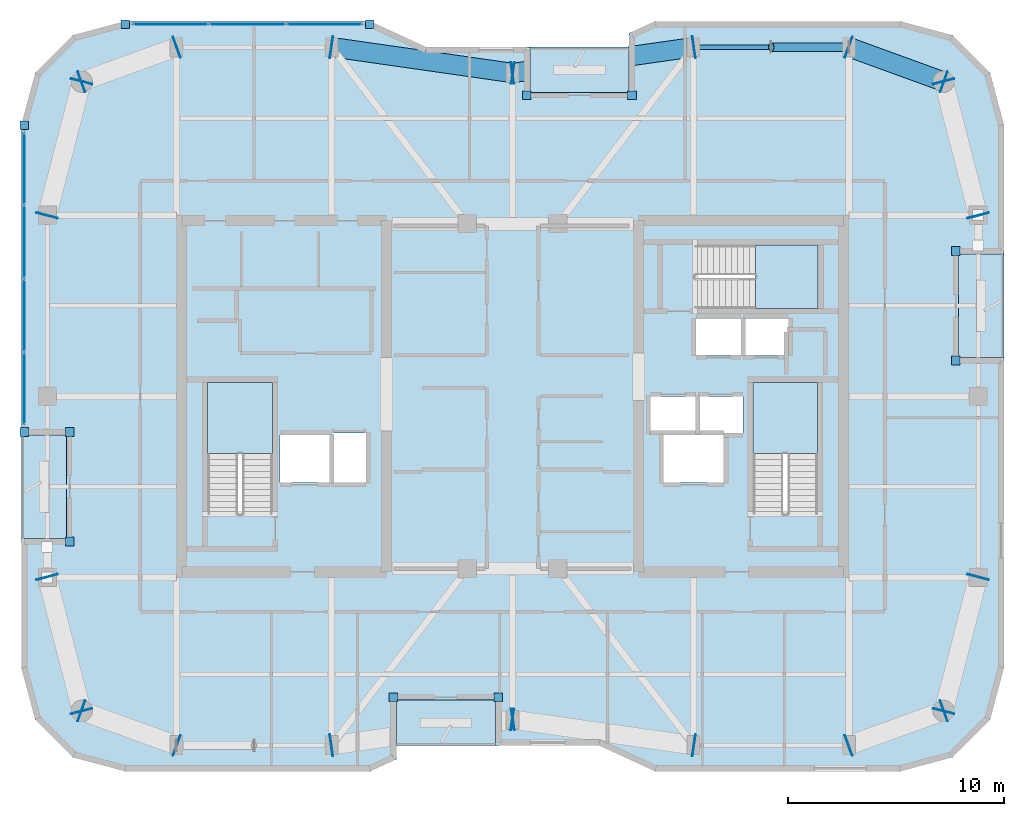
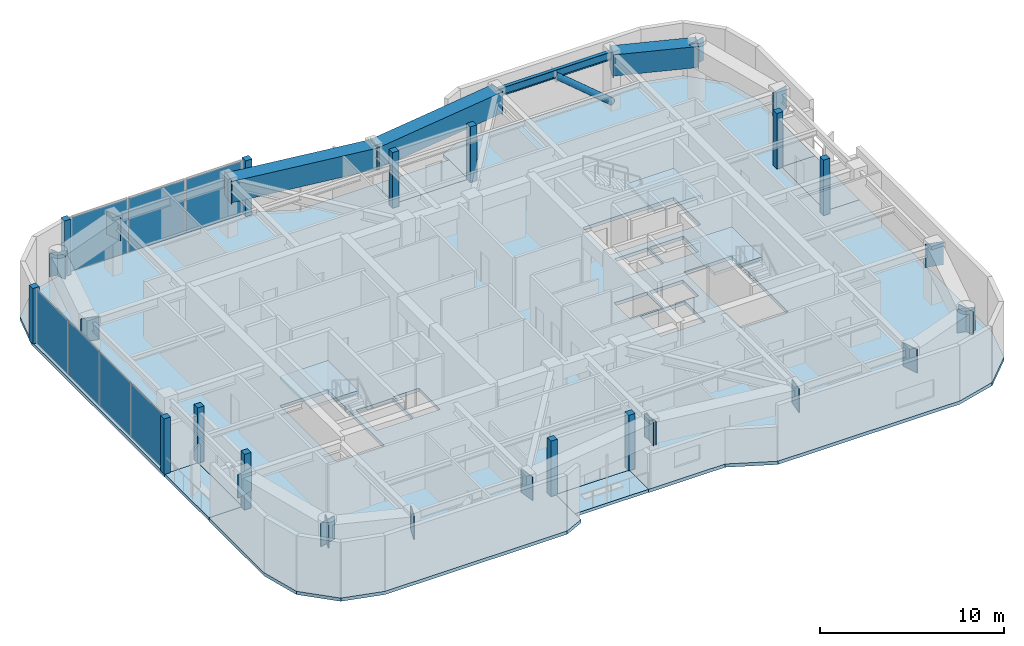
# One storey, part 7 of 15: 43 plates, 8 slabs, 4 beams, 1 member, 5 elements without a shape of their own.
"""IFC4 building model written with IfcOpenShell, lengths in metres."""

from ifc_helpers import new_model, si_unit, direction, frame, origin, origin_2d, place, context, subcontext, project, spatial, polyline, rectangle, hollow_rectangle, hollow_circle, i_section, outline, extrude, material, layer, layer_set, material_profile, profile_set, type_object, element, aggregate, save


model = new_model("IFC4")

# Units and contexts
model_context = context("Model", 3, precision=1e-05, world=origin(), true_north=direction((0.0, 1.0)))
body_context = subcontext(model_context, "Body", "Model", "MODEL_VIEW")
ifc_project = project(units=[si_unit("LENGTHUNIT", "METRE"), si_unit("AREAUNIT", "SQUARE_METRE"), si_unit("VOLUMEUNIT", "CUBIC_METRE"), si_unit("PLANEANGLEUNIT", "RADIAN"), si_unit("MASSUNIT", "GRAM", prefix="KILO")], contexts=[model_context])

# Site, building, storey
site_placement = place(None, origin())
site = spatial("IfcSite", under=ifc_project, at=site_placement, CompositionType="ELEMENT")
building_placement = place(site_placement, origin())
building = spatial("IfcBuilding", under=site, at=building_placement, Name="Kiyonajd Concourse Tower", CompositionType="ELEMENT")
storey_placement = place(building_placement, frame((0.0, 0.0, 314.10009765625)))
storey = spatial("IfcBuildingStorey", under=building, at=storey_placement, Name="L79", CompositionType="ELEMENT", Elevation=314.10009765625)

# Beams
ifc_material_1 = material(Name="Steel ASTM A992 Grade 50", Category="steel")
ifc_material_profile_1 = material_profile(ifc_material_1, i_section(OverallWidth=0.2109375, OverallDepth=0.5390625, WebThickness=0.01171875, FlangeThickness=0.018798828125, at=origin_2d()), Name="W530X109")
ifc_profile_set_1 = profile_set([ifc_material_profile_1], Name="Steel ASTM A992 Grade 50")
beam_type_1 = type_object("IfcBeamType", Name="BM-SPAN-530B", PredefinedType="SPANDREL", material=ifc_profile_set_1)
beam_1_placement = place(storey_placement, frame((63.60009765625, 52.199951171875, 3.410400390625), z_axis=(-1.0, 0.0, 0.0), x_axis=(0.0, -1.0, 0.0)))
element("IfcBeam", 1, at=beam_1_placement, inside=storey, type_object=beam_type_1, Name="L79 Perimeter Bundled Tube Spandrel", PredefinedType="SPANDREL", context=body_context, shape_type="SweptSolid", body=[
    extrude(i_section(OverallWidth=0.2109375, OverallDepth=0.5390625, WebThickness=0.01171875, FlangeThickness=0.018798828125, at=origin_2d()), origin(), (0.0, 0.0, 1.0), 7.2001953125),
])
ifc_material_2 = material(Name="Steel ASTM A572 Grade 50", Category="steel")
ifc_material_profile_2 = material_profile(ifc_material_2, hollow_rectangle(XDim=0.89990234375, YDim=1.39990234375, WallThickness=0.070068359375, at=origin_2d()), Name="BOX-1400x900x70")
ifc_profile_set_2 = profile_set([ifc_material_profile_2], Name="Steel ASTM A572 Grade 50")
beam_type_2 = type_object("IfcBeamType", Name="BM-XFER-1400", PredefinedType="BEAM", material=ifc_profile_set_2)
beam_2_placement = place(storey_placement, frame((68.0, 50.60009765625, 2.97998046875), z_axis=(-0.939801036019, 0.341722127901, 0.0), x_axis=(-0.341722127901, -0.939801036019, 0.0)))
element("IfcBeam", 2, at=beam_2_placement, inside=storey, type_object=beam_type_2, Name="L79 Perimeter Bundled Tube Spandrel", PredefinedType="BEAM", context=body_context, shape_type="SweptSolid", body=[
    extrude(hollow_rectangle(XDim=0.89990234375, YDim=1.39990234375, WallThickness=0.070068359375, at=origin_2d()), origin(), (0.0, 0.0, 1.0), 4.681640625),
])
for number, where, z_axis, x_axis, name in (
    (3, (56.39990234375, 52.199951171875, 2.97998046875), (-0.989950069105, -0.141417328072, 0.0), (0.141417328072, -0.989950069105, 0.0), "L79 Perimeter Bundled Tube Spandrel"),
    (4, (48.0, 51.0, 2.97998046875), (-0.989950069105, 0.141417328072, 0.0), (-0.141417328072, -0.989950069105, 0.0), "L79 Perimeter Bundled Tube Spandrel"),
):
    element("IfcBeam", number, at=place(storey_placement, frame(where, z_axis=z_axis, x_axis=x_axis)), inside=storey, type_object=beam_type_2, Name=name, PredefinedType="BEAM", context=body_context, shape_type="SweptSolid", body=[
        extrude(hollow_rectangle(XDim=0.89990234375, YDim=1.39990234375, WallThickness=0.070068359375, at=origin_2d()), origin(), (0.0, 0.0, 1.0), 8.485107421875),
    ])

# Member
ifc_material_3 = material(Name="Steel ASTM A500 Grade C", Category="steel")
ifc_material_profile_3 = material_profile(ifc_material_3, hollow_circle(Radius=0.202880859375, WallThickness=0.01904296875, at=origin_2d()), Name="CHS-406x19")
ifc_profile_set_3 = profile_set([ifc_material_profile_3], Name="Steel ASTM A500 Grade C")
member_type = type_object("IfcMemberType", Name="MB-PB-HIGH", PredefinedType="BRACE", material=ifc_profile_set_3)
member_placement = place(storey_placement, frame((63.60009765625, 52.199951171875, 0.2998046875), z_axis=(-0.765082043761, 0.0, 0.643932811957), x_axis=(0.0, -1.0, 0.0)))
element("IfcMember", 5, at=member_placement, inside=storey, type_object=member_type, Name="L79 Upper Zone Hollow Tube Brace PBN", PredefinedType="BRACE", context=body_context, shape_type="SweptSolid", body=[
    extrude(hollow_circle(Radius=0.202880859375, WallThickness=0.01904296875, at=origin_2d()), origin(), (0.0, 0.0, 1.0), 4.70556640625),
])

# Plates
ifc_layer_1 = layer(ifc_material_2, 0.031982421875)
ifc_layer_set_1 = layer_set([ifc_layer_1], Name="Steel ASTM A572 Grade 50")
plate_type_1 = type_object("IfcPlateType", Name="PL-CAP-540", PredefinedType="USERDEFINED", material=ifc_layer_set_1)
for number, where, z_axis, x_axis, name in (
    (6, (26.397216796875, 27.610595703125, 2.2099609375), (0.0, 0.0, 1.0), (-0.249873048837, 0.968278606324, 0.0), "L79 Welded Box Girder End Cap"),
    (7, (28.002685546875, 21.389404296875, 2.2099609375), (0.0, 0.0, 1.0), (0.249873048837, -0.968278606324, 0.0), "L79 Welded Box Girder End Cap"),
    (8, (27.98974609375, 21.40380859375, 2.2099609375), (0.0, 0.0, 1.0), (-0.939811951086, 0.341692107891, 0.0), "L79 Welded Box Girder End Cap"),
    (9, (32.410400390625, 19.796142578125, 2.2099609375), (0.0, 0.0, 1.0), (0.939811951086, -0.341692107891, 0.0), "L79 Welded Box Girder End Cap"),
    (10, (39.589111328125, 19.79833984375, 2.2099609375), (0.0, 0.0, 1.0), (-0.989949746297, -0.141419587774, 0.0), "L79 Welded Box Girder End Cap"),
    (11, (48.010986328125, 21.001708984375, 2.2099609375), (0.0, 0.0, 1.0), (0.989949746297, 0.141419587774, 0.0), "L79 Welded Box Girder End Cap"),
    (12, (47.989013671875, 21.001708984375, 2.2099609375), (0.0, 0.0, 1.0), (-0.989949746297, 0.141419587774, 0.0), "L79 Welded Box Girder End Cap"),
    (13, (56.410888671875, 19.79833984375, 2.2099609375), (0.0, 0.0, 1.0), (0.989949746297, -0.141419587774, 0.0), "L79 Welded Box Girder End Cap"),
    (14, (63.589599609375, 19.796142578125, 2.2099609375), (0.0, 0.0, 1.0), (-0.939811951086, -0.341692107891, 0.0), "L79 Welded Box Girder End Cap"),
    (15, (68.01025390625, 21.40380859375, 2.2099609375), (0.0, 0.0, 1.0), (0.939811951086, 0.341692107891, 0.0), "L79 Welded Box Girder End Cap"),
    (16, (67.997314453125, 21.389404296875, 2.2099609375), (0.0, 0.0, 1.0), (-0.249873048837, -0.968278606324, 0.0), "L79 Welded Box Girder End Cap"),
    (17, (69.602783203125, 27.610595703125, 2.2099609375), (0.0, 0.0, 1.0), (0.249873048837, 0.968278606324, 0.0), "L79 Welded Box Girder End Cap"),
    (18, (69.602783203125, 44.389404296875, 2.2099609375), (0.0, 0.0, 1.0), (0.249873048837, -0.968278606324, 0.0), "L79 Welded Box Girder End Cap"),
    (19, (67.997314453125, 50.610595703125, 2.2099609375), (0.0, 0.0, 1.0), (-0.249873048837, 0.968278606324, 0.0), "L79 Welded Box Girder End Cap"),
    (20, (68.01025390625, 50.59619140625, 2.2099609375), (0.0, 0.0, 1.0), (0.939811951086, -0.341692107891, 0.0), "L79 Welded Box Girder End Cap"),
    (21, (63.589599609375, 52.203857421875, 2.2099609375), (0.0, 0.0, 1.0), (-0.939811951086, 0.341692107891, 0.0), "L79 Welded Box Girder End Cap"),
    (22, (56.410888671875, 52.20166015625, 2.2099609375), (0.0, 0.0, 1.0), (0.989949746297, 0.141419587774, 0.0), "L79 Welded Box Girder End Cap"),
    (23, (47.989013671875, 50.998291015625, 2.2099609375), (0.0, 0.0, 1.0), (-0.989949746297, -0.141419587774, 0.0), "L79 Welded Box Girder End Cap"),
    (24, (48.010986328125, 50.998291015625, 2.2099609375), (0.0, 0.0, 1.0), (0.989949746297, -0.141419587774, 0.0), "L79 Welded Box Girder End Cap"),
    (25, (39.589111328125, 52.20166015625, 2.2099609375), (0.0, 0.0, 1.0), (-0.989949746297, 0.141419587774, 0.0), "L79 Welded Box Girder End Cap"),
    (26, (32.410400390625, 52.203857421875, 2.2099609375), (0.0, 0.0, 1.0), (0.939811951086, 0.341692107891, 0.0), "L79 Welded Box Girder End Cap"),
    (27, (27.98974609375, 50.59619140625, 2.2099609375), (0.0, 0.0, 1.0), (-0.939811951086, -0.341692107891, 0.0), "L79 Welded Box Girder End Cap"),
    (28, (28.002685546875, 50.610595703125, 2.2099609375), (0.0, 0.0, 1.0), (0.249873048837, 0.968278606324, 0.0), "L79 Welded Box Girder End Cap"),
    (29, (26.397216796875, 44.389404296875, 2.2099609375), (0.0, 0.0, 1.0), (-0.249873048837, -0.968278606324, 0.0), "L79 Welded Box Girder End Cap"),
):
    element("IfcPlate", number, at=place(storey_placement, frame(where, z_axis=z_axis, x_axis=x_axis)), inside=storey, type_object=plate_type_1, Name=name, ObjectType="CAP PLATE", PredefinedType="USERDEFINED", context=body_context, shape_type="SweptSolid", body=[
        extrude(rectangle(XDim=0.035888671875, YDim=1.02001953125, at=origin_2d()), origin(), (0.0, 0.0, 1.0), 1.5400390625),
    ])

# Curtain wall, plates
ifc_material_4 = material(Name="Thermally Broken Anodised Aluminium", Category="aluminium")
ifc_layer_2 = layer(ifc_material_4, 0.179931640625)
ifc_layer_set_2 = layer_set([ifc_layer_2], Name="Thermally Broken Anodised Aluminium")
curtain_wall_type = type_object("IfcCurtainWallType", Name="CW-SYS-04", PredefinedType="NOTDEFINED", material=ifc_layer_set_2)
curtain_wall_1_placement = place(storey_placement, origin())
curtain_wall_1 = element("IfcCurtainWall", 30, at=curtain_wall_1_placement, inside=storey, type_object=curtain_wall_type, Name="L79 Unitised Curtain Wall CW4", PredefinedType="NOTDEFINED")
ifc_material_5 = material(Name="Double Low-E Insulated Glass", Category="glass")
ifc_layer_3 = layer(ifc_material_5, 0.033935546875)
ifc_layer_set_3 = layer_set([ifc_layer_3], Name="Double Low-E Insulated Glass")
plate_type_2 = type_object("IfcPlateType", Name="PL-CW-VIS34", PredefinedType="CURTAIN_PANEL", material=ifc_layer_set_3)
plate_1_placement = place(storey_placement, frame((25.340087890625, 36.35400390625, 0.06494140625), z_axis=(0.0, 0.0, 1.0), x_axis=(0.0, 1.0, 0.0)))
plate_1 = element("IfcPlate", 31, at=plate_1_placement, type_object=plate_type_2, Name="CW4 panel 1.1", PredefinedType="CURTAIN_PANEL", context=body_context, shape_type="SweptSolid", body=[
    extrude(rectangle(XDim=3.31787109375, YDim=0.033935546875, at=origin_2d()), origin(), (0.0, 0.0, 1.0), 3.550048828125),
])
plate_2_placement = place(storey_placement, frame((25.340087890625, 39.753173828125, 0.06494140625), z_axis=(0.0, 0.0, 1.0), x_axis=(0.0, 1.0, 0.0)))
plate_2 = element("IfcPlate", 32, at=plate_2_placement, type_object=plate_type_2, Name="CW4 panel 2.1", PredefinedType="CURTAIN_PANEL", context=body_context, shape_type="SweptSolid", body=[
    extrude(rectangle(XDim=3.350341796875, YDim=0.033935546875, at=origin_2d()), origin(), (0.0, 0.0, 1.0), 3.550048828125),
])
plate_3_placement = place(storey_placement, frame((25.340087890625, 43.16845703125, 0.06494140625), z_axis=(0.0, 0.0, 1.0), x_axis=(0.0, 1.0, 0.0)))
plate_3 = element("IfcPlate", 33, at=plate_3_placement, type_object=plate_type_2, Name="CW4 panel 3.1", PredefinedType="CURTAIN_PANEL", context=body_context, shape_type="SweptSolid", body=[
    extrude(rectangle(XDim=3.350341796875, YDim=0.033935546875, at=origin_2d()), origin(), (0.0, 0.0, 1.0), 3.550048828125),
])
plate_4_placement = place(storey_placement, frame((25.340087890625, 46.567626953125, 0.06494140625), z_axis=(0.0, 0.0, 1.0), x_axis=(0.0, 1.0, 0.0)))
plate_4 = element("IfcPlate", 34, at=plate_4_placement, type_object=plate_type_2, Name="CW4 panel 4.1", PredefinedType="CURTAIN_PANEL", context=body_context, shape_type="SweptSolid", body=[
    extrude(rectangle(XDim=3.31787109375, YDim=0.033935546875, at=origin_2d()), origin(), (0.0, 0.0, 1.0), 3.550048828125),
])
aggregate(curtain_wall_1, [plate_1, plate_2, plate_3, plate_4])

curtain_wall_2_placement = place(storey_placement, origin())
curtain_wall_2 = element("IfcCurtainWall", 35, at=curtain_wall_2_placement, inside=storey, type_object=curtain_wall_type, Name="L79 Unitised Curtain Wall CW4", PredefinedType="NOTDEFINED")
plate_5_placement = place(storey_placement, frame((32.119873046875, 53.260009765625, 0.06494140625), z_axis=(0.0, 0.0, 1.0), x_axis=(1.0, 0.0, 0.0)))
plate_5 = element("IfcPlate", 36, at=plate_5_placement, type_object=plate_type_2, Name="CW4 panel 1.1", PredefinedType="CURTAIN_PANEL", context=body_context, shape_type="SweptSolid", body=[
    extrude(rectangle(XDim=3.492919921875, YDim=0.033935546875, at=origin_2d()), origin(), (0.0, 0.0, 1.0), 3.550048828125),
])
plate_6_placement = place(storey_placement, frame((35.69384765625, 53.260009765625, 0.06494140625), z_axis=(0.0, 0.0, 1.0), x_axis=(1.0, 0.0, 0.0)))
plate_6 = element("IfcPlate", 37, at=plate_6_placement, type_object=plate_type_2, Name="CW4 panel 2.1", PredefinedType="CURTAIN_PANEL", context=body_context, shape_type="SweptSolid", body=[
    extrude(rectangle(XDim=3.525390625, YDim=0.033935546875, at=origin_2d()), origin(), (0.0, 0.0, 1.0), 3.550048828125),
])
plate_7_placement = place(storey_placement, frame((39.267822265625, 53.260009765625, 0.06494140625), z_axis=(0.0, 0.0, 1.0), x_axis=(1.0, 0.0, 0.0)))
plate_7 = element("IfcPlate", 38, at=plate_7_placement, type_object=plate_type_2, Name="CW4 panel 3.1", PredefinedType="CURTAIN_PANEL", context=body_context, shape_type="SweptSolid", body=[
    extrude(rectangle(XDim=3.492919921875, YDim=0.033935546875, at=origin_2d()), origin(), (0.0, 0.0, 1.0), 3.550048828125),
])
aggregate(curtain_wall_2, [plate_5, plate_6, plate_7])

# Plates
ifc_layer_4 = layer(ifc_material_4, 0.39990234375)
ifc_layer_set_4 = layer_set([ifc_layer_4], Name="Thermally Broken Anodised Aluminium")
plate_type_3 = type_object("IfcPlateType", Name="PL-JMB-400", PredefinedType="USERDEFINED", material=ifc_layer_set_4)
for number, where, z_axis, x_axis, name in (
    (39, (27.43994140625, 29.260009765625, 0.0), (0.0, 0.0, 1.0), (1.0, 0.0, 0.0), "L79 Facade Jamb Closure Plate 01"),
    (40, (27.43994140625, 34.340087890625, 0.0), (0.0, 0.0, 1.0), (1.0, 0.0, 0.0), "L79 Facade Jamb Closure Plate 02"),
    (41, (25.340087890625, 34.340087890625, 0.0), (0.0, 0.0, 1.0), (1.0, 0.0, 0.0), "L79 Facade Jamb Closure Plate 03"),
    (42, (25.340087890625, 48.58154296875, 0.0), (0.0, 0.0, 1.0), (1.0, 0.0, 0.0), "L79 Facade Jamb Closure Plate 04"),
    (43, (30.018310546875, 53.260009765625, 0.0), (0.0, 0.0, 1.0), (1.0, 0.0, 0.0), "L79 Facade Jamb Closure Plate 05"),
    (44, (41.369384765625, 53.260009765625, 0.0), (0.0, 0.0, 1.0), (1.0, 0.0, 0.0), "L79 Facade Jamb Closure Plate 06"),
    (45, (48.659912109375, 49.9599609375, 0.0), (0.0, 0.0, 1.0), (1.0, 0.0, 0.0), "L79 Facade Jamb Closure Plate 07"),
    (46, (53.5400390625, 49.9599609375, 0.0), (0.0, 0.0, 1.0), (1.0, 0.0, 0.0), "L79 Facade Jamb Closure Plate 08"),
    (47, (68.56005859375, 42.739990234375, 0.0), (0.0, 0.0, 1.0), (1.0, 0.0, 0.0), "L79 Facade Jamb Closure Plate 09"),
    (48, (68.56005859375, 37.659912109375, 0.0), (0.0, 0.0, 1.0), (1.0, 0.0, 0.0), "L79 Facade Jamb Closure Plate 10"),
    (49, (47.340087890625, 22.0400390625, 0.0), (0.0, 0.0, 1.0), (1.0, 0.0, 0.0), "L79 Facade Jamb Closure Plate 11"),
    (50, (42.4599609375, 22.0400390625, 0.0), (0.0, 0.0, 1.0), (1.0, 0.0, 0.0), "L79 Facade Jamb Closure Plate 12"),
):
    element("IfcPlate", number, at=place(storey_placement, frame(where, z_axis=z_axis, x_axis=x_axis)), inside=storey, type_object=plate_type_3, Name=name, ObjectType="JAMB PLATE", PredefinedType="USERDEFINED", context=body_context, shape_type="SweptSolid", body=[
        extrude(rectangle(XDim=0.39990234375, YDim=0.39990234375, at=origin_2d()), origin(), (0.0, 0.0, 1.0), 3.679931640625),
    ])

# Stair, slab
ifc_material_6 = material(Name="Concrete C40/50", Category="concrete")
stair_type = type_object("IfcStairType", Name="ST-DLG-22R", PredefinedType="HALF_TURN_STAIR", material=ifc_material_6)
stair_1_placement = place(storey_placement, origin())
stair_1 = element("IfcStair", 51, at=stair_1_placement, inside=storey, type_object=stair_type, Name="L79 Protected Exit Stair ST1", PredefinedType="HALF_TURN_STAIR")
ifc_layer_5 = layer(ifc_material_6, 0.199951171875)
ifc_layer_set_5 = layer_set([ifc_layer_5], Name="Concrete C40/50")
slab_type_1 = type_object("IfcSlabType", Name="SL-LND-200", PredefinedType="LANDING", material=ifc_layer_set_5)
slab_1_placement = place(storey_placement, frame((0.0, 0.0, 1.75)))
slab_1 = element("IfcSlab", 52, at=slab_1_placement, type_object=slab_type_1, Name="ST1 landing 1", PredefinedType="LANDING", context=body_context, shape_type="SweptSolid", body=[
    extrude(outline(polyline([(36.85009765625, 33.35009765625), (36.85009765625, 36.64990234375), (33.85009765625, 36.64990234375), (33.85009765625, 33.35009765625), (36.85009765625, 33.35009765625)])), origin(), (0.0, 0.0, 1.0), 0.199951171875),
])
aggregate(stair_1, [slab_1])

stair_2_placement = place(storey_placement, origin())
stair_2 = element("IfcStair", 53, at=stair_2_placement, inside=storey, type_object=stair_type, Name="L79 Protected Exit Stair ST2", PredefinedType="HALF_TURN_STAIR")
slab_2_placement = place(storey_placement, frame((0.0, 0.0, 1.75)))
slab_2 = element("IfcSlab", 54, at=slab_2_placement, type_object=slab_type_1, Name="ST2 landing 1", PredefinedType="LANDING", context=body_context, shape_type="SweptSolid", body=[
    extrude(outline(polyline([(62.14990234375, 33.35009765625), (62.14990234375, 36.64990234375), (59.14990234375, 36.64990234375), (59.14990234375, 33.35009765625), (62.14990234375, 33.35009765625)])), origin(), (0.0, 0.0, 1.0), 0.199951171875),
])
aggregate(stair_2, [slab_2])

stair_3_placement = place(storey_placement, origin())
stair_3 = element("IfcStair", 55, at=stair_3_placement, inside=storey, type_object=stair_type, Name="L79 Protected Exit Stair ST3", PredefinedType="HALF_TURN_STAIR")
slab_3_placement = place(storey_placement, frame((0.0, 0.0, 1.75)))
slab_3 = element("IfcSlab", 56, at=slab_3_placement, type_object=slab_type_1, Name="ST3 landing 1", PredefinedType="LANDING", context=body_context, shape_type="SweptSolid", body=[
    extrude(outline(polyline([(59.280029296875, 40.080078125), (62.179931640625, 40.080078125), (62.179931640625, 43.02001953125), (59.280029296875, 43.02001953125), (59.280029296875, 40.080078125)])), origin(), (0.0, 0.0, 1.0), 0.199951171875),
])
aggregate(stair_3, [slab_3])

# Slabs
ifc_material_7 = material(Name="Precast concrete C50/60", Category="concrete")
ifc_layer_6 = layer(ifc_material_7, 0.199951171875)
ifc_layer_set_6 = layer_set([ifc_layer_6], Name="Precast concrete C50/60")
slab_type_2 = type_object("IfcSlabType", Name="SL-LOG-200", PredefinedType="FLOOR", material=ifc_layer_set_6)
slab_4_placement = place(storey_placement, frame((0.0, 0.0, -0.2001953125)))
element("IfcSlab", 57, at=slab_4_placement, inside=storey, type_object=slab_type_2, Name="L79 Recessed Engawa Loggia Terrace Slab LOG-S", PredefinedType="FLOOR", context=body_context, shape_type="SweptSolid", body=[
    extrude(outline(polyline([(42.60009765625, 19.800048828125), (47.199951171875, 19.800048828125), (47.199951171875, 21.89990234375), (42.60009765625, 21.89990234375), (42.60009765625, 19.800048828125)])), origin(), (0.0, 0.0, 1.0), 0.2001953125),
])
slab_5_placement = place(storey_placement, frame((0.0, 0.0, -0.2001953125)))
element("IfcSlab", 58, at=slab_5_placement, inside=storey, type_object=slab_type_2, Name="L79 Recessed Engawa Loggia Terrace Slab LOG-N", PredefinedType="FLOOR", context=body_context, shape_type="SweptSolid", body=[
    extrude(outline(polyline([(48.800048828125, 50.10009765625), (53.39990234375, 50.10009765625), (53.39990234375, 52.199951171875), (48.800048828125, 52.199951171875), (48.800048828125, 50.10009765625)])), origin(), (0.0, 0.0, 1.0), 0.2001953125),
])
slab_6_placement = place(storey_placement, frame((0.0, 0.0, -0.2001953125)))
element("IfcSlab", 59, at=slab_6_placement, inside=storey, type_object=slab_type_2, Name="L79 Recessed Engawa Loggia Terrace Slab LOG-W", PredefinedType="FLOOR", context=body_context, shape_type="SweptSolid", body=[
    extrude(outline(polyline([(25.199951171875, 29.39990234375), (27.300048828125, 29.39990234375), (27.300048828125, 34.199951171875), (25.199951171875, 34.199951171875), (25.199951171875, 29.39990234375)])), origin(), (0.0, 0.0, 1.0), 0.2001953125),
])
slab_7_placement = place(storey_placement, frame((0.0, 0.0, -0.2001953125)))
element("IfcSlab", 60, at=slab_7_placement, inside=storey, type_object=slab_type_2, Name="L79 Recessed Engawa Loggia Terrace Slab LOG-E", PredefinedType="FLOOR", context=body_context, shape_type="SweptSolid", body=[
    extrude(outline(polyline([(68.699951171875, 37.800048828125), (70.800048828125, 37.800048828125), (70.800048828125, 42.60009765625), (68.699951171875, 42.60009765625), (68.699951171875, 37.800048828125)])), origin(), (0.0, 0.0, 1.0), 0.2001953125),
])
ifc_layer_7 = layer(ifc_material_6, 0.219970703125)
ifc_layer_set_7 = layer_set([ifc_layer_7], Name="Concrete C40/50")
slab_type_3 = type_object("IfcSlabType", Name="SL-TWR-220", PredefinedType="FLOOR", material=ifc_layer_set_7)
slab_8_placement = place(storey_placement, frame((0.0, 0.0, -0.22021484375)))
element("IfcSlab", 61, at=slab_8_placement, inside=storey, type_object=slab_type_3, Name="L79 Tower Conditioned Floor Slab", PredefinedType="FLOOR", context=body_context, shape_type="SweptSolid", body=[
    extrude(outline(polyline([(25.843017578125, 21.0), (25.199951171875, 23.39990234375), (25.199951171875, 29.39990234375), (27.300048828125, 29.39990234375), (27.300048828125, 34.199951171875), (25.199951171875, 34.199951171875), (25.199951171875, 48.60009765625), (25.843017578125, 51.0), (27.60009765625, 52.757080078125), (30.0, 53.39990234375), (41.39990234375, 53.39990234375), (44.0, 52.199951171875), (48.800048828125, 52.199951171875), (48.800048828125, 50.10009765625), (53.39990234375, 50.10009765625), (53.39990234375, 52.845947265625), (54.60009765625, 53.39990234375), (66.0, 53.39990234375), (68.39990234375, 52.757080078125), (70.156982421875, 51.0), (70.800048828125, 48.60009765625), (70.800048828125, 42.60009765625), (68.699951171875, 42.60009765625), (68.699951171875, 37.800048828125), (70.800048828125, 37.800048828125), (70.800048828125, 23.39990234375), (70.156982421875, 21.0), (68.39990234375, 19.242919921875), (66.0, 18.60009765625), (54.60009765625, 18.60009765625), (52.0, 19.800048828125), (47.199951171875, 19.800048828125), (47.199951171875, 21.89990234375), (42.60009765625, 21.89990234375), (42.60009765625, 19.154052734375), (41.39990234375, 18.60009765625), (30.0, 18.60009765625), (27.60009765625, 19.242919921875), (25.843017578125, 21.0)]), holes=[polyline([(39.5, 32.0), (37.199951171875, 32.0), (37.199951171875, 34.199951171875), (39.5, 34.199951171875), (39.5, 32.0)]), polyline([(57.800048828125, 32.0), (55.0, 32.0), (55.0, 34.199951171875), (57.800048828125, 34.199951171875), (57.800048828125, 32.0)]), polyline([(41.199951171875, 32.0), (39.60009765625, 32.0), (39.60009765625, 34.300048828125), (41.199951171875, 34.300048828125), (41.199951171875, 32.0)]), polyline([(33.85009765625, 30.550048828125), (33.85009765625, 36.64990234375), (36.85009765625, 36.64990234375), (36.85009765625, 30.550048828125), (33.85009765625, 30.550048828125)]), polyline([(59.14990234375, 30.550048828125), (59.14990234375, 36.64990234375), (62.14990234375, 36.64990234375), (62.14990234375, 30.550048828125), (59.14990234375, 30.550048828125)]), polyline([(56.5, 34.300048828125), (54.39990234375, 34.300048828125), (54.39990234375, 36.0), (56.5, 36.0), (56.5, 34.300048828125)]), polyline([(58.699951171875, 34.300048828125), (56.60009765625, 34.300048828125), (56.60009765625, 36.0), (58.699951171875, 36.0), (58.699951171875, 34.300048828125)]), polyline([(58.60009765625, 37.89990234375), (56.5, 37.89990234375), (56.5, 39.60009765625), (58.60009765625, 39.60009765625), (58.60009765625, 37.89990234375)]), polyline([(58.699951171875, 37.89990234375), (58.699951171875, 39.60009765625), (60.800048828125, 39.60009765625), (60.800048828125, 37.89990234375), (58.699951171875, 37.89990234375)]), polyline([(56.47998046875, 43.02001953125), (62.179931640625, 43.02001953125), (62.179931640625, 40.080078125), (56.47998046875, 40.080078125), (56.47998046875, 43.02001953125)])]), origin(), (0.0, 0.0, 1.0), 0.22021484375),
])

save(model, "model.ifc")
